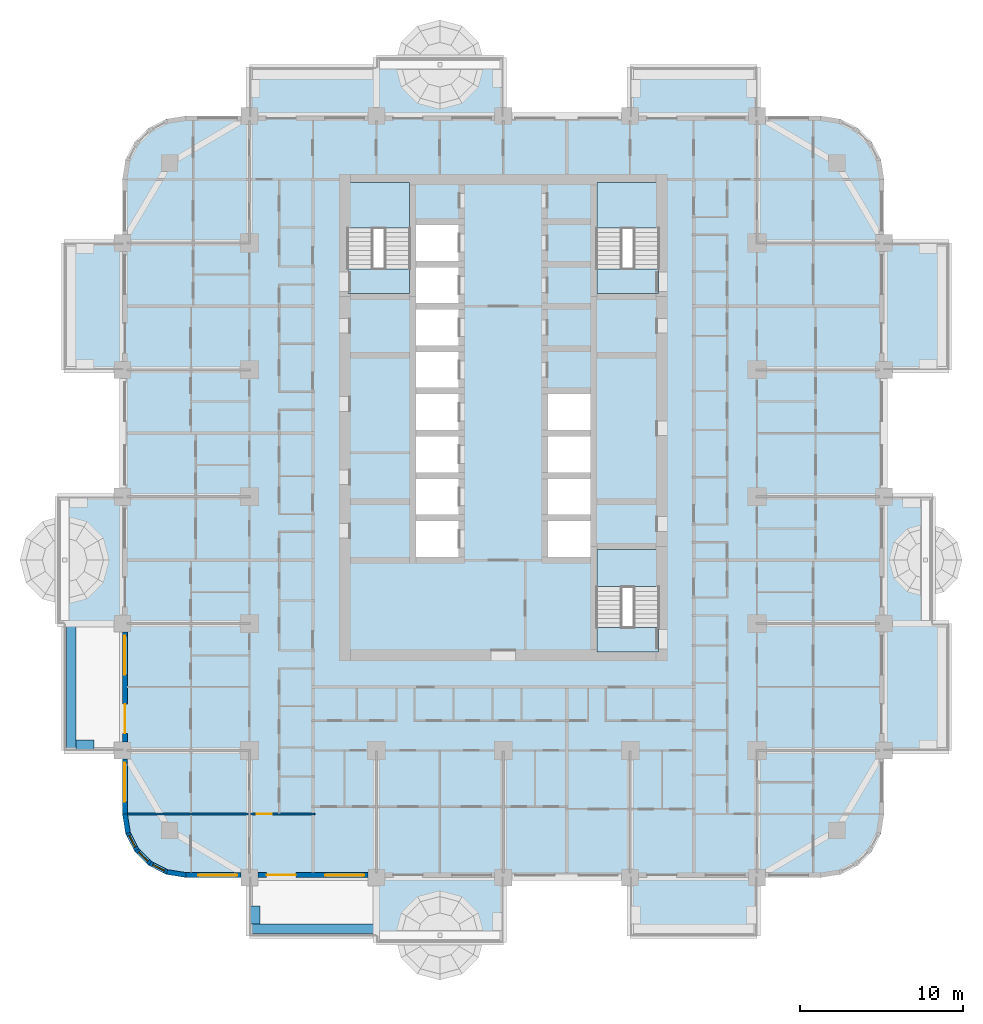
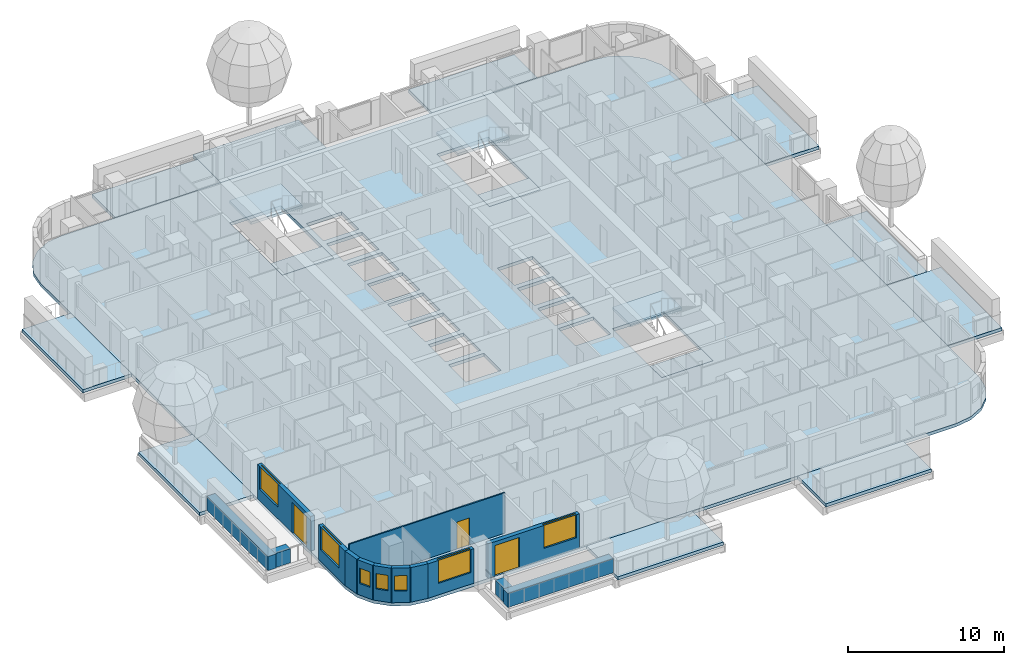
# One storey, part 2 of 18: 17 slabs, 14 walls, 7 windows, 3 doors, 10 openings, 3 elements without a shape of their own.
"""IFC4 building model written with IfcOpenShell, lengths in metres."""

from ifc_helpers import new_model, si_unit, direction, frame, frame_2d, origin, place, context, subcontext, project, spatial, polyline, rectangle, outline, extrude, material, layer, layer_set, type_object, element, fill, aggregate, save


model = new_model("IFC4")

# Units and contexts
model_context = context("Model", 3, precision=1e-05, world=origin(), true_north=direction((0.0, 1.0)))
body_context = subcontext(model_context, "Body", "Model", "MODEL_VIEW")
ifc_project = project(units=[si_unit("LENGTHUNIT", "METRE"), si_unit("AREAUNIT", "SQUARE_METRE"), si_unit("VOLUMEUNIT", "CUBIC_METRE"), si_unit("PLANEANGLEUNIT", "RADIAN"), si_unit("MASSUNIT", "GRAM", prefix="KILO")], contexts=[model_context])

# Site, building, storey
site_placement = place(None, origin())
site = spatial("IfcSite", under=ifc_project, at=site_placement, CompositionType="ELEMENT")
building_placement = place(site_placement, origin())
building = spatial("IfcBuilding", under=site, at=building_placement, Name="Ludao Terraces", CompositionType="ELEMENT")
storey_placement = place(building_placement, frame((0.0, 0.0, 26.300048828125)))
storey = spatial("IfcBuildingStorey", under=building, at=storey_placement, Name="L06", CompositionType="ELEMENT", Elevation=26.300048828125)

# Slabs
ifc_material_1 = material(Name="Concrete C40", Category="concrete")
ifc_layer_1 = layer(ifc_material_1, 0.25)
ifc_layer_set_1 = layer_set([ifc_layer_1], Name="Balcony slab 250 C40")
slab_type_1 = type_object("IfcSlabType", Name="Balcony slab 250 C40", PredefinedType="USERDEFINED", material=ifc_layer_set_1)
slab_1_placement = place(storey_placement, frame((0.0, 0.0, -0.25)))
element("IfcSlab", 1, at=slab_1_placement, inside=storey, type_object=slab_type_1, Name="Balcony L06 S2", ObjectType="BALCONY", PredefinedType="USERDEFINED", context=body_context, shape_type="SweptSolid", body=[
    extrude(outline(polyline([(77.199951171875, 37.60009765625), (85.0, 37.60009765625), (85.0, 41.60009765625), (77.199951171875, 41.60009765625), (77.199951171875, 37.60009765625)])), origin(), (0.0, 0.0, 1.0), 0.25),
])
slab_2_placement = place(storey_placement, frame((0.0, 0.0, -0.25)))
element("IfcSlab", 2, at=slab_2_placement, inside=storey, type_object=slab_type_1, Name="Balcony L06 S4", ObjectType="BALCONY", PredefinedType="USERDEFINED", context=body_context, shape_type="SweptSolid", body=[
    extrude(outline(polyline([(92.800048828125, 38.0), (100.60009765625, 38.0), (100.60009765625, 41.60009765625), (92.800048828125, 41.60009765625), (92.800048828125, 38.0)])), origin(), (0.0, 0.0, 1.0), 0.25),
])
slab_3_placement = place(storey_placement, frame((0.0, 0.0, -0.25)))
element("IfcSlab", 3, at=slab_3_placement, inside=storey, type_object=slab_type_1, Name="Balcony L06 E1", ObjectType="BALCONY", PredefinedType="USERDEFINED", context=body_context, shape_type="SweptSolid", body=[
    extrude(outline(polyline([(108.39990234375, 49.39990234375), (112.39990234375, 49.39990234375), (112.39990234375, 57.199951171875), (108.39990234375, 57.199951171875), (108.39990234375, 49.39990234375)])), origin(), (0.0, 0.0, 1.0), 0.25),
])
slab_4_placement = place(storey_placement, frame((0.0, 0.0, -0.25)))
element("IfcSlab", 4, at=slab_4_placement, inside=storey, type_object=slab_type_1, Name="Balcony L06 E2", ObjectType="BALCONY", PredefinedType="USERDEFINED", context=body_context, shape_type="SweptSolid", body=[
    extrude(outline(polyline([(108.39990234375, 57.199951171875), (111.39990234375, 57.199951171875), (111.39990234375, 65.0), (108.39990234375, 65.0), (108.39990234375, 57.199951171875)])), origin(), (0.0, 0.0, 1.0), 0.25),
])
slab_5_placement = place(storey_placement, frame((0.0, 0.0, -0.25)))
element("IfcSlab", 5, at=slab_5_placement, inside=storey, type_object=slab_type_1, Name="Balcony L06 E4", ObjectType="BALCONY", PredefinedType="USERDEFINED", context=body_context, shape_type="SweptSolid", body=[
    extrude(outline(polyline([(108.39990234375, 72.800048828125), (112.39990234375, 72.800048828125), (112.39990234375, 80.60009765625), (108.39990234375, 80.60009765625), (108.39990234375, 72.800048828125)])), origin(), (0.0, 0.0, 1.0), 0.25),
])
slab_6_placement = place(storey_placement, frame((0.0, 0.0, -0.25)))
element("IfcSlab", 6, at=slab_6_placement, inside=storey, type_object=slab_type_1, Name="Balcony L06 N1", ObjectType="BALCONY", PredefinedType="USERDEFINED", context=body_context, shape_type="SweptSolid", body=[
    extrude(outline(polyline([(69.39990234375, 88.39990234375), (77.199951171875, 88.39990234375), (77.199951171875, 91.39990234375), (69.39990234375, 91.39990234375), (69.39990234375, 88.39990234375)])), origin(), (0.0, 0.0, 1.0), 0.25),
])
slab_7_placement = place(storey_placement, frame((0.0, 0.0, -0.25)))
element("IfcSlab", 7, at=slab_7_placement, inside=storey, type_object=slab_type_1, Name="Balcony L06 N2", ObjectType="BALCONY", PredefinedType="USERDEFINED", context=body_context, shape_type="SweptSolid", body=[
    extrude(outline(polyline([(77.199951171875, 88.39990234375), (85.0, 88.39990234375), (85.0, 92.0), (77.199951171875, 92.0), (77.199951171875, 88.39990234375)])), origin(), (0.0, 0.0, 1.0), 0.25),
])
slab_8_placement = place(storey_placement, frame((0.0, 0.0, -0.25)))
element("IfcSlab", 8, at=slab_8_placement, inside=storey, type_object=slab_type_1, Name="Balcony L06 N4", ObjectType="BALCONY", PredefinedType="USERDEFINED", context=body_context, shape_type="SweptSolid", body=[
    extrude(outline(polyline([(92.800048828125, 88.39990234375), (100.60009765625, 88.39990234375), (100.60009765625, 91.39990234375), (92.800048828125, 91.39990234375), (92.800048828125, 88.39990234375)])), origin(), (0.0, 0.0, 1.0), 0.25),
])
slab_9_placement = place(storey_placement, frame((0.0, 0.0, -0.25)))
element("IfcSlab", 9, at=slab_9_placement, inside=storey, type_object=slab_type_1, Name="Balcony L06 W2", ObjectType="BALCONY", PredefinedType="USERDEFINED", context=body_context, shape_type="SweptSolid", body=[
    extrude(outline(polyline([(57.60009765625, 57.199951171875), (61.60009765625, 57.199951171875), (61.60009765625, 65.0), (57.60009765625, 65.0), (57.60009765625, 57.199951171875)])), origin(), (0.0, 0.0, 1.0), 0.25),
])
slab_10_placement = place(storey_placement, frame((0.0, 0.0, -0.25)))
element("IfcSlab", 10, at=slab_10_placement, inside=storey, type_object=slab_type_1, Name="Balcony L06 W4", ObjectType="BALCONY", PredefinedType="USERDEFINED", context=body_context, shape_type="SweptSolid", body=[
    extrude(outline(polyline([(58.0, 72.800048828125), (61.60009765625, 72.800048828125), (61.60009765625, 80.60009765625), (58.0, 80.60009765625), (58.0, 72.800048828125)])), origin(), (0.0, 0.0, 1.0), 0.25),
])
ifc_layer_2 = layer(ifc_material_1, 0.25)
ifc_layer_set_2 = layer_set([ifc_layer_2], Name="Floor slab 250 C40")
slab_type_2 = type_object("IfcSlabType", Name="Floor slab 250 C40", PredefinedType="FLOOR", material=ifc_layer_set_2)
slab_11_placement = place(storey_placement, frame((0.0, 0.0, -0.25)))
element("IfcSlab", 11, at=slab_11_placement, inside=storey, type_object=slab_type_2, Name="Slab L06", PredefinedType="FLOOR", context=body_context, shape_type="SweptSolid", body=[
    extrude(outline(polyline([(104.5, 41.60009765625), (105.705078125, 41.790771484375), (106.79248046875, 42.3447265625), (107.6552734375, 43.20751953125), (108.209228515625, 44.294921875), (108.39990234375, 45.5), (108.39990234375, 84.5), (108.209228515625, 85.705078125), (107.6552734375, 86.79248046875), (106.79248046875, 87.6552734375), (105.705078125, 88.209228515625), (104.5, 88.39990234375), (65.5, 88.39990234375), (64.294921875, 88.209228515625), (63.20751953125, 87.6552734375), (62.3447265625, 86.79248046875), (61.790771484375, 85.705078125), (61.60009765625, 84.5), (61.60009765625, 45.5), (61.790771484375, 44.294921875), (62.3447265625, 43.20751953125), (63.20751953125, 42.3447265625), (64.294921875, 41.790771484375), (65.5, 41.60009765625), (104.5, 41.60009765625)]), holes=[polyline([(79.64990234375, 61.300048828125), (82.25, 61.300048828125), (82.25, 63.5), (79.64990234375, 63.5), (79.64990234375, 61.300048828125)]), polyline([(79.64990234375, 63.89990234375), (82.25, 63.89990234375), (82.25, 66.10009765625), (79.64990234375, 66.10009765625), (79.64990234375, 63.89990234375)]), polyline([(79.64990234375, 66.5), (82.25, 66.5), (82.25, 68.699951171875), (79.64990234375, 68.699951171875), (79.64990234375, 66.5)]), polyline([(79.64990234375, 69.10009765625), (82.25, 69.10009765625), (82.25, 71.300048828125), (79.64990234375, 71.300048828125), (79.64990234375, 69.10009765625)]), polyline([(79.64990234375, 71.699951171875), (82.25, 71.699951171875), (82.25, 73.89990234375), (79.64990234375, 73.89990234375), (79.64990234375, 71.699951171875)]), polyline([(79.64990234375, 74.300048828125), (82.25, 74.300048828125), (82.25, 76.5), (79.64990234375, 76.5), (79.64990234375, 74.300048828125)]), polyline([(79.64990234375, 76.89990234375), (82.25, 76.89990234375), (82.25, 79.10009765625), (79.64990234375, 79.10009765625), (79.64990234375, 76.89990234375)]), polyline([(79.64990234375, 79.5), (82.25, 79.5), (82.25, 81.699951171875), (79.64990234375, 81.699951171875), (79.64990234375, 79.5)]), polyline([(87.75, 61.300048828125), (90.35009765625, 61.300048828125), (90.35009765625, 63.5), (87.75, 63.5), (87.75, 61.300048828125)]), polyline([(87.75, 63.89990234375), (90.35009765625, 63.89990234375), (90.35009765625, 66.10009765625), (87.75, 66.10009765625), (87.75, 63.89990234375)]), polyline([(87.75, 66.5), (90.35009765625, 66.5), (90.35009765625, 68.699951171875), (87.75, 68.699951171875), (87.75, 66.5)]), polyline([(87.75, 69.10009765625), (90.35009765625, 69.10009765625), (90.35009765625, 71.300048828125), (87.75, 71.300048828125), (87.75, 69.10009765625)]), polyline([(75.449951171875, 77.5), (79.25, 77.5), (79.25, 84.239990234375), (75.449951171875, 84.239990234375), (75.449951171875, 77.5)]), polyline([(90.75, 77.5), (94.550048828125, 77.5), (94.550048828125, 84.239990234375), (90.75, 84.239990234375), (90.75, 77.5)]), polyline([(90.75, 55.449951171875), (94.550048828125, 55.449951171875), (94.550048828125, 61.75), (90.75, 61.75), (90.75, 55.449951171875)])]), origin(), (0.0, 0.0, 1.0), 0.25),
])

# Stair, slabs
stair_type = type_object("IfcStairType", Name="INT Stair", PredefinedType="HALF_TURN_STAIR", material=ifc_material_1)
stair_1_placement = place(storey_placement, origin())
stair_1 = element("IfcStair", 12, at=stair_1_placement, inside=storey, type_object=stair_type, Name="EXIT STAIR 1", PredefinedType="HALF_TURN_STAIR")
ifc_layer_3 = layer(ifc_material_1, 0.199951171875)
ifc_layer_set_3 = layer_set([ifc_layer_3], Name="INT Stair landing 200")
slab_type_3 = type_object("IfcSlabType", Name="INT Stair landing 200", PredefinedType="LANDING", material=ifc_layer_set_3)
slab_12_placement = place(storey_placement, frame((0.0, 0.0, 1.5)))
slab_12 = element("IfcSlab", 13, at=slab_12_placement, type_object=slab_type_3, Name="ST1 landing 1", PredefinedType="LANDING", context=body_context, shape_type="SweptSolid", body=[
    extrude(outline(polyline([(75.449951171875, 81.52001953125), (79.25, 81.52001953125), (79.25, 84.300048828125), (75.449951171875, 84.300048828125), (75.449951171875, 81.52001953125)])), origin(), (0.0, 0.0, 1.0), 0.199951171875),
])
slab_13_placement = place(storey_placement, frame((0.0, 0.0, -0.199951171875)))
slab_13 = element("IfcSlab", 14, at=slab_13_placement, type_object=slab_type_3, Name="ST1 landing 2", PredefinedType="LANDING", context=body_context, shape_type="SweptSolid", body=[
    extrude(outline(polyline([(75.449951171875, 77.5), (79.25, 77.5), (79.25, 79.0), (75.449951171875, 79.0), (75.449951171875, 77.5)])), origin(), (0.0, 0.0, 1.0), 0.199951171875),
])
aggregate(stair_1, [slab_12, slab_13])

stair_2_placement = place(storey_placement, origin())
stair_2 = element("IfcStair", 15, at=stair_2_placement, inside=storey, type_object=stair_type, Name="EXIT STAIR 2", PredefinedType="HALF_TURN_STAIR")
slab_14_placement = place(storey_placement, frame((0.0, 0.0, 1.5)))
slab_14 = element("IfcSlab", 16, at=slab_14_placement, type_object=slab_type_3, Name="ST2 landing 1", PredefinedType="LANDING", context=body_context, shape_type="SweptSolid", body=[
    extrude(outline(polyline([(90.75, 81.52001953125), (94.550048828125, 81.52001953125), (94.550048828125, 84.300048828125), (90.75, 84.300048828125), (90.75, 81.52001953125)])), origin(), (0.0, 0.0, 1.0), 0.199951171875),
])
slab_15_placement = place(storey_placement, frame((0.0, 0.0, -0.199951171875)))
slab_15 = element("IfcSlab", 17, at=slab_15_placement, type_object=slab_type_3, Name="ST2 landing 2", PredefinedType="LANDING", context=body_context, shape_type="SweptSolid", body=[
    extrude(outline(polyline([(90.75, 77.5), (94.550048828125, 77.5), (94.550048828125, 79.0), (90.75, 79.0), (90.75, 77.5)])), origin(), (0.0, 0.0, 1.0), 0.199951171875),
])
aggregate(stair_2, [slab_14, slab_15])

stair_3_placement = place(storey_placement, origin())
stair_3 = element("IfcStair", 18, at=stair_3_placement, inside=storey, type_object=stair_type, Name="EXIT STAIR 3", PredefinedType="HALF_TURN_STAIR")
slab_16_placement = place(storey_placement, frame((0.0, 0.0, 1.5)))
slab_16 = element("IfcSlab", 19, at=slab_16_placement, type_object=slab_type_3, Name="ST3 landing 1", PredefinedType="LANDING", context=body_context, shape_type="SweptSolid", body=[
    extrude(outline(polyline([(90.75, 59.469970703125), (94.550048828125, 59.469970703125), (94.550048828125, 61.75), (90.75, 61.75), (90.75, 59.469970703125)])), origin(), (0.0, 0.0, 1.0), 0.199951171875),
])
slab_17_placement = place(storey_placement, frame((0.0, 0.0, -0.199951171875)))
slab_17 = element("IfcSlab", 20, at=slab_17_placement, type_object=slab_type_3, Name="ST3 landing 2", PredefinedType="LANDING", context=body_context, shape_type="SweptSolid", body=[
    extrude(outline(polyline([(90.75, 55.449951171875), (94.550048828125, 55.449951171875), (94.550048828125, 56.949951171875), (90.75, 56.949951171875), (90.75, 55.449951171875)])), origin(), (0.0, 0.0, 1.0), 0.199951171875),
])
aggregate(stair_3, [slab_16, slab_17])

# Walls
ifc_layer_4 = layer(ifc_material_1, 0.60009765625)
ifc_layer_set_4 = layer_set([ifc_layer_4], Name="ENV Planter trough 600")
wall_type_1 = type_object("IfcWallType", Name="ENV Planter trough 600", PredefinedType="USERDEFINED", material=ifc_layer_set_4)
wall_1_placement = place(storey_placement, frame((69.39990234375, 38.449951171875, 0.0), z_axis=(0.0, 0.0, 1.0), x_axis=(1.0, 0.0, 0.0)))
element("IfcWall", 21, at=wall_1_placement, inside=storey, type_object=wall_type_1, Name="PL-L06-S1", ObjectType="PLANTER", PredefinedType="USERDEFINED", context=body_context, shape_type="SweptSolid", body=[
    extrude(rectangle(XDim=7.800048828125, YDim=0.60009765625, at=frame_2d((3.89990234375, 0.0))), origin(), (0.0, 0.0, 1.0), 1.099853515625),
])
wall_2_placement = place(storey_placement, frame((69.75, 38.75, 0.0), z_axis=(0.0, 0.0, 1.0), x_axis=(0.0, 1.0, 0.0)))
element("IfcWall", 22, at=wall_2_placement, inside=storey, type_object=wall_type_1, Name="PL-L06-S1-SA", ObjectType="PLANTER", PredefinedType="USERDEFINED", context=body_context, shape_type="SweptSolid", body=[
    extrude(rectangle(XDim=1.10009765625, YDim=0.60009765625, at=frame_2d((0.550048828125, 0.0))), origin(), (0.0, 0.0, 1.0), 1.099853515625),
])
wall_3_placement = place(storey_placement, frame((58.449951171875, 49.39990234375, 0.0), z_axis=(0.0, 0.0, 1.0), x_axis=(0.0, 1.0, 0.0)))
element("IfcWall", 23, at=wall_3_placement, inside=storey, type_object=wall_type_1, Name="PL-L06-W1", ObjectType="PLANTER", PredefinedType="USERDEFINED", context=body_context, shape_type="SweptSolid", body=[
    extrude(rectangle(XDim=7.800048828125, YDim=0.60009765625, at=frame_2d((3.89990234375, 0.0))), origin(), (0.0, 0.0, 1.0), 1.099853515625),
])
wall_4_placement = place(storey_placement, frame((58.75, 49.75, 0.0), z_axis=(0.0, 0.0, 1.0), x_axis=(1.0, 0.0, 0.0)))
element("IfcWall", 24, at=wall_4_placement, inside=storey, type_object=wall_type_1, Name="PL-L06-W1-SA", ObjectType="PLANTER", PredefinedType="USERDEFINED", context=body_context, shape_type="SweptSolid", body=[
    extrude(rectangle(XDim=1.10009765625, YDim=0.60009765625, at=frame_2d((0.550048828125, 0.0))), origin(), (0.0, 0.0, 1.0), 1.099853515625),
])

# Wall, opening, window
ifc_material_2 = material(Name="Granite cladding", Category="masonry")
ifc_layer_5 = layer(ifc_material_2, 0.0400390625, Category="stone")
ifc_material_3 = material(Name="Mineral wool")
ifc_layer_6 = layer(ifc_material_3, 0.06005859375)
ifc_layer_7 = layer(ifc_material_1, 0.199951171875, Category="concrete")
ifc_layer_set_5 = layer_set([ifc_layer_5, ifc_layer_6, ifc_layer_7], Name="ENV Stone-clad wall 300")
wall_type_2 = type_object("IfcWallType", Name="ENV Stone-clad wall 300", PredefinedType="SOLIDWALL", material=ifc_layer_set_5)
wall_5_placement = place(storey_placement, frame((65.5, 41.75, 0.0), z_axis=(0.0, 0.0, 1.0), x_axis=(1.0, 0.0, 0.0)))
wall_5 = element("IfcWall", 25, at=wall_5_placement, inside=storey, type_object=wall_type_2, Name="EW-L06-S1", PredefinedType="SOLIDWALL", context=body_context, shape_type="SweptSolid", body=[
    extrude(rectangle(XDim=3.375, YDim=0.300048828125, at=frame_2d((1.6875, 0.0))), origin(), (0.0, 0.0, 1.0), 2.699951171875),
])
opening_1_placement = place(wall_5_placement, frame((0.75, 0.0, 0.89990234375)))
opening_1 = element("IfcOpeningElement", 26, at=opening_1_placement, cuts=wall_5, Name="Opening W1", PredefinedType="OPENING", context=body_context, shape_type="SweptSolid", body=[
    extrude(rectangle(XDim=2.39990234375, YDim=1.800048828125, at=frame_2d((1.199951171875, 0.89990234375))), frame((0.0, 0.16015625, 0.0), z_axis=(0.0, -1.0, 0.0), x_axis=(1.0, 0.0, 0.0)), (0.0, 0.0, 1.0), 0.320068359375),
])
ifc_material_4 = material(Name="Clear glass in aluminium frame", Category="aluminium")
ifc_layer_8 = layer(ifc_material_4, 0.06005859375)
ifc_layer_set_6 = layer_set([ifc_layer_8], Name="ENV Window W1 2400x1800")
window_type_1 = type_object("IfcWindowType", Name="ENV Window W1 2400x1800", PartitioningType="DOUBLE_PANEL_VERTICAL", PredefinedType="WINDOW", material=ifc_layer_set_6)
window_1_placement = place(opening_1_placement, origin())
window_1 = element("IfcWindow", 27, at=window_1_placement, inside=storey, type_object=window_type_1, Name="W-L06-S1-1", OverallHeight=1.800048828125, OverallWidth=2.39990234375, PartitioningType="DOUBLE_PANEL_VERTICAL", PredefinedType="WINDOW", context=body_context, shape_type="SweptSolid", body=[
    extrude(rectangle(XDim=2.39990234375, YDim=1.800048828125, at=frame_2d((1.199951171875, 0.89990234375))), frame((0.0, 0.030029296875, 0.0), z_axis=(0.0, -1.0, 0.0), x_axis=(1.0, 0.0, 0.0)), (0.0, 0.0, 1.0), 0.06005859375),
])
fill(opening_1, window_1)

# Wall, openings, door, window
wall_6_placement = place(storey_placement, frame((69.925048828125, 41.75, 0.0), z_axis=(0.0, 0.0, 1.0), x_axis=(1.0, 0.0, 0.0)))
wall_6 = element("IfcWall", 28, at=wall_6_placement, inside=storey, type_object=wall_type_2, Name="EW-L06-S2", PredefinedType="SOLIDWALL", context=body_context, shape_type="SweptSolid", body=[
    extrude(rectangle(XDim=6.75, YDim=0.300048828125, at=frame_2d((3.375, 0.0))), origin(), (0.0, 0.0, 1.0), 2.699951171875),
])
opening_2_placement = place(wall_6_placement, frame((0.52490234375, 0.0, 0.0)))
opening_2 = element("IfcOpeningElement", 29, at=opening_2_placement, cuts=wall_6, Name="Opening BD", PredefinedType="OPENING", context=body_context, shape_type="SweptSolid", body=[
    extrude(rectangle(XDim=1.800048828125, YDim=2.39990234375, at=frame_2d((0.89990234375, 1.199951171875))), frame((0.0, 0.16015625, 0.0), z_axis=(0.0, -1.0, 0.0), x_axis=(1.0, 0.0, 0.0)), (0.0, 0.0, 1.0), 0.320068359375),
])
opening_3_placement = place(wall_6_placement, frame((4.125, 0.0, 0.89990234375)))
opening_3 = element("IfcOpeningElement", 30, at=opening_3_placement, cuts=wall_6, Name="Opening W1", PredefinedType="OPENING", context=body_context, shape_type="SweptSolid", body=[
    extrude(rectangle(XDim=2.39990234375, YDim=1.800048828125, at=frame_2d((1.199951171875, 0.89990234375))), frame((0.0, 0.16015625, 0.0), z_axis=(0.0, -1.0, 0.0), x_axis=(1.0, 0.0, 0.0)), (0.0, 0.0, 1.0), 0.320068359375),
])
ifc_material_5 = material(Name="Aluminium glazed door", Category="aluminium")
ifc_layer_9 = layer(ifc_material_5, 0.06005859375)
ifc_layer_set_7 = layer_set([ifc_layer_9], Name="ENV Balcony door BD 1800x2400")
door_type_1 = type_object("IfcDoorType", Name="ENV Balcony door BD 1800x2400", OperationType="DOUBLE_DOOR_SINGLE_SWING", PredefinedType="DOOR", material=ifc_layer_set_7)
door_1_placement = place(opening_2_placement, origin())
door_1 = element("IfcDoor", 31, at=door_1_placement, inside=storey, type_object=door_type_1, Name="BD-L06-S2-1", OperationType="DOUBLE_DOOR_SINGLE_SWING", OverallHeight=2.39990234375, OverallWidth=1.800048828125, PredefinedType="DOOR", context=body_context, shape_type="SweptSolid", body=[
    extrude(rectangle(XDim=1.800048828125, YDim=2.39990234375, at=frame_2d((0.89990234375, 1.199951171875))), frame((0.0, 0.02490234375, 0.0), z_axis=(0.0, -1.0, 0.0), x_axis=(1.0, 0.0, 0.0)), (0.0, 0.0, 1.0), 0.050048828125),
])
fill(opening_2, door_1)
window_2_placement = place(opening_3_placement, origin())
window_2 = element("IfcWindow", 32, at=window_2_placement, inside=storey, type_object=window_type_1, Name="W-L06-S2-2", OverallHeight=1.800048828125, OverallWidth=2.39990234375, PartitioningType="DOUBLE_PANEL_VERTICAL", PredefinedType="WINDOW", context=body_context, shape_type="SweptSolid", body=[
    extrude(rectangle(XDim=2.39990234375, YDim=1.800048828125, at=frame_2d((1.199951171875, 0.89990234375))), frame((0.0, 0.030029296875, 0.0), z_axis=(0.0, -1.0, 0.0), x_axis=(1.0, 0.0, 0.0)), (0.0, 0.0, 1.0), 0.06005859375),
])
fill(opening_3, window_2)

# Wall, opening, window
wall_7_placement = place(storey_placement, frame((61.75, 45.5, 0.0), z_axis=(0.0, 0.0, 1.0), x_axis=(0.0, 1.0, 0.0)))
wall_7 = element("IfcWall", 33, at=wall_7_placement, inside=storey, type_object=wall_type_2, Name="EW-L06-W1", PredefinedType="SOLIDWALL", context=body_context, shape_type="SweptSolid", body=[
    extrude(rectangle(XDim=3.375, YDim=0.300048828125, at=frame_2d((1.6875, 0.0))), origin(), (0.0, 0.0, 1.0), 2.699951171875),
])
opening_4_placement = place(wall_7_placement, frame((0.75, 0.0, 0.89990234375)))
opening_4 = element("IfcOpeningElement", 34, at=opening_4_placement, cuts=wall_7, Name="Opening W1", PredefinedType="OPENING", context=body_context, shape_type="SweptSolid", body=[
    extrude(rectangle(XDim=2.39990234375, YDim=1.800048828125, at=frame_2d((1.199951171875, 0.89990234375))), frame((0.0, 0.16015625, 0.0), z_axis=(0.0, -1.0, 0.0), x_axis=(1.0, 0.0, 0.0)), (0.0, 0.0, 1.0), 0.320068359375),
])
window_3_placement = place(opening_4_placement, origin())
window_3 = element("IfcWindow", 35, at=window_3_placement, inside=storey, type_object=window_type_1, Name="W-L06-W1-1", OverallHeight=1.800048828125, OverallWidth=2.39990234375, PartitioningType="DOUBLE_PANEL_VERTICAL", PredefinedType="WINDOW", context=body_context, shape_type="SweptSolid", body=[
    extrude(rectangle(XDim=2.39990234375, YDim=1.800048828125, at=frame_2d((1.199951171875, 0.89990234375))), frame((0.0, 0.030029296875, 0.0), z_axis=(0.0, -1.0, 0.0), x_axis=(1.0, 0.0, 0.0)), (0.0, 0.0, 1.0), 0.06005859375),
])
fill(opening_4, window_3)

# Wall, openings, door, window
wall_8_placement = place(storey_placement, frame((61.75, 49.925048828125, 0.0), z_axis=(0.0, 0.0, 1.0), x_axis=(0.0, 1.0, 0.0)))
wall_8 = element("IfcWall", 36, at=wall_8_placement, inside=storey, type_object=wall_type_2, Name="EW-L06-W2", PredefinedType="SOLIDWALL", context=body_context, shape_type="SweptSolid", body=[
    extrude(rectangle(XDim=6.75, YDim=0.300048828125, at=frame_2d((3.375, 0.0))), origin(), (0.0, 0.0, 1.0), 2.699951171875),
])
opening_5_placement = place(wall_8_placement, frame((0.52490234375, 0.0, 0.0)))
opening_5 = element("IfcOpeningElement", 37, at=opening_5_placement, cuts=wall_8, Name="Opening BD", PredefinedType="OPENING", context=body_context, shape_type="SweptSolid", body=[
    extrude(rectangle(XDim=1.800048828125, YDim=2.39990234375, at=frame_2d((0.89990234375, 1.199951171875))), frame((0.0, 0.16015625, 0.0), z_axis=(0.0, -1.0, 0.0), x_axis=(1.0, 0.0, 0.0)), (0.0, 0.0, 1.0), 0.320068359375),
])
opening_6_placement = place(wall_8_placement, frame((4.125, 0.0, 0.89990234375)))
opening_6 = element("IfcOpeningElement", 38, at=opening_6_placement, cuts=wall_8, Name="Opening W1", PredefinedType="OPENING", context=body_context, shape_type="SweptSolid", body=[
    extrude(rectangle(XDim=2.39990234375, YDim=1.800048828125, at=frame_2d((1.199951171875, 0.89990234375))), frame((0.0, 0.16015625, 0.0), z_axis=(0.0, -1.0, 0.0), x_axis=(1.0, 0.0, 0.0)), (0.0, 0.0, 1.0), 0.320068359375),
])
door_2_placement = place(opening_5_placement, origin())
door_2 = element("IfcDoor", 39, at=door_2_placement, inside=storey, type_object=door_type_1, Name="BD-L06-W2-1", OperationType="DOUBLE_DOOR_SINGLE_SWING", OverallHeight=2.39990234375, OverallWidth=1.800048828125, PredefinedType="DOOR", context=body_context, shape_type="SweptSolid", body=[
    extrude(rectangle(XDim=1.800048828125, YDim=2.39990234375, at=frame_2d((0.89990234375, 1.199951171875))), frame((0.0, 0.02490234375, 0.0), z_axis=(0.0, -1.0, 0.0), x_axis=(1.0, 0.0, 0.0)), (0.0, 0.0, 1.0), 0.050048828125),
])
fill(opening_5, door_2)
window_4_placement = place(opening_6_placement, origin())
window_4 = element("IfcWindow", 40, at=window_4_placement, inside=storey, type_object=window_type_1, Name="W-L06-W2-2", OverallHeight=1.800048828125, OverallWidth=2.39990234375, PartitioningType="DOUBLE_PANEL_VERTICAL", PredefinedType="WINDOW", context=body_context, shape_type="SweptSolid", body=[
    extrude(rectangle(XDim=2.39990234375, YDim=1.800048828125, at=frame_2d((1.199951171875, 0.89990234375))), frame((0.0, 0.030029296875, 0.0), z_axis=(0.0, -1.0, 0.0), x_axis=(1.0, 0.0, 0.0)), (0.0, 0.0, 1.0), 0.06005859375),
])
fill(opening_6, window_4)

# Wall
wall_9_placement = place(storey_placement, frame((61.75, 45.5, 0.0), z_axis=(0.0, 0.0, 1.0), x_axis=(0.156496880861, -0.987678452879, 0.0)))
element("IfcWall", 41, at=wall_9_placement, inside=storey, type_object=wall_type_2, Name="EW-L06-SW1", PredefinedType="SOLIDWALL", context=body_context, shape_type="SweptSolid", body=[
    extrude(rectangle(XDim=1.173095703125, YDim=0.300048828125, at=frame_2d((0.58642578125, 0.0))), origin(), (0.0, 0.0, 1.0), 2.699951171875),
])

# Wall, opening, window
wall_10_placement = place(storey_placement, frame((61.93359375, 44.34130859375, 0.0), z_axis=(0.0, 0.0, 1.0), x_axis=(0.454025524128, -0.890988677504, 0.0)))
wall_10 = element("IfcWall", 42, at=wall_10_placement, inside=storey, type_object=wall_type_2, Name="EW-L06-SW2", PredefinedType="SOLIDWALL", context=body_context, shape_type="SweptSolid", body=[
    extrude(rectangle(XDim=1.17333984375, YDim=0.300048828125, at=frame_2d((0.586669921875, 0.0))), origin(), (0.0, 0.0, 1.0), 2.699951171875),
])
opening_7_placement = place(wall_10_placement, frame((0.1865234375, 0.0, 0.89990234375)))
opening_7 = element("IfcOpeningElement", 43, at=opening_7_placement, cuts=wall_10, Name="Opening W3", PredefinedType="OPENING", context=body_context, shape_type="SweptSolid", body=[
    extrude(rectangle(XDim=0.800048828125, YDim=1.199951171875, at=frame_2d((0.39990234375, 0.60009765625))), frame((0.0, 0.16015625, 0.0), z_axis=(0.0, -1.0, 0.0), x_axis=(1.0, 0.0, 0.0)), (0.0, 0.0, 1.0), 0.320068359375),
])
ifc_layer_10 = layer(ifc_material_4, 0.06005859375)
ifc_layer_set_8 = layer_set([ifc_layer_10], Name="ENV Window W3 800x1200")
window_type_2 = type_object("IfcWindowType", Name="ENV Window W3 800x1200", PartitioningType="SINGLE_PANEL", PredefinedType="WINDOW", material=ifc_layer_set_8)
window_5_placement = place(opening_7_placement, origin())
window_5 = element("IfcWindow", 44, at=window_5_placement, inside=storey, type_object=window_type_2, Name="W-L06-SW2", OverallHeight=1.199951171875, OverallWidth=0.800048828125, PartitioningType="SINGLE_PANEL", PredefinedType="WINDOW", context=body_context, shape_type="SweptSolid", body=[
    extrude(rectangle(XDim=0.800048828125, YDim=1.199951171875, at=frame_2d((0.39990234375, 0.60009765625))), frame((0.0, 0.030029296875, 0.0), z_axis=(0.0, -1.0, 0.0), x_axis=(1.0, 0.0, 0.0)), (0.0, 0.0, 1.0), 0.06005859375),
])
fill(opening_7, window_5)

wall_11_placement = place(storey_placement, frame((62.46630859375, 43.2958984375, 0.0), z_axis=(0.0, 0.0, 1.0), x_axis=(0.707106781187, -0.707106781187, 0.0)))
wall_11 = element("IfcWall", 45, at=wall_11_placement, inside=storey, type_object=wall_type_2, Name="EW-L06-SW3", PredefinedType="SOLIDWALL", context=body_context, shape_type="SweptSolid", body=[
    extrude(rectangle(XDim=1.173095703125, YDim=0.300048828125, at=frame_2d((0.58642578125, 0.0))), origin(), (0.0, 0.0, 1.0), 2.699951171875),
])
opening_8_placement = place(wall_11_placement, frame((0.1865234375, 0.0, 0.89990234375)))
opening_8 = element("IfcOpeningElement", 46, at=opening_8_placement, cuts=wall_11, Name="Opening W3", PredefinedType="OPENING", context=body_context, shape_type="SweptSolid", body=[
    extrude(rectangle(XDim=0.800048828125, YDim=1.199951171875, at=frame_2d((0.39990234375, 0.60009765625))), frame((0.0, 0.16015625, 0.0), z_axis=(0.0, -1.0, 0.0), x_axis=(1.0, 0.0, 0.0)), (0.0, 0.0, 1.0), 0.320068359375),
])
window_6_placement = place(opening_8_placement, origin())
window_6 = element("IfcWindow", 47, at=window_6_placement, inside=storey, type_object=window_type_2, Name="W-L06-SW3", OverallHeight=1.199951171875, OverallWidth=0.800048828125, PartitioningType="SINGLE_PANEL", PredefinedType="WINDOW", context=body_context, shape_type="SweptSolid", body=[
    extrude(rectangle(XDim=0.800048828125, YDim=1.199951171875, at=frame_2d((0.39990234375, 0.60009765625))), frame((0.0, 0.030029296875, 0.0), z_axis=(0.0, -1.0, 0.0), x_axis=(1.0, 0.0, 0.0)), (0.0, 0.0, 1.0), 0.06005859375),
])
fill(opening_8, window_6)

wall_12_placement = place(storey_placement, frame((63.2958984375, 42.46630859375, 0.0), z_axis=(0.0, 0.0, 1.0), x_axis=(0.890988677504, -0.454025524128, 0.0)))
wall_12 = element("IfcWall", 48, at=wall_12_placement, inside=storey, type_object=wall_type_2, Name="EW-L06-SW4", PredefinedType="SOLIDWALL", context=body_context, shape_type="SweptSolid", body=[
    extrude(rectangle(XDim=1.17333984375, YDim=0.300048828125, at=frame_2d((0.586669921875, 0.0))), origin(), (0.0, 0.0, 1.0), 2.699951171875),
])
opening_9_placement = place(wall_12_placement, frame((0.1865234375, 0.0, 0.89990234375)))
opening_9 = element("IfcOpeningElement", 49, at=opening_9_placement, cuts=wall_12, Name="Opening W3", PredefinedType="OPENING", context=body_context, shape_type="SweptSolid", body=[
    extrude(rectangle(XDim=0.800048828125, YDim=1.199951171875, at=frame_2d((0.39990234375, 0.60009765625))), frame((0.0, 0.16015625, 0.0), z_axis=(0.0, -1.0, 0.0), x_axis=(1.0, 0.0, 0.0)), (0.0, 0.0, 1.0), 0.320068359375),
])
window_7_placement = place(opening_9_placement, origin())
window_7 = element("IfcWindow", 50, at=window_7_placement, inside=storey, type_object=window_type_2, Name="W-L06-SW4", OverallHeight=1.199951171875, OverallWidth=0.800048828125, PartitioningType="SINGLE_PANEL", PredefinedType="WINDOW", context=body_context, shape_type="SweptSolid", body=[
    extrude(rectangle(XDim=0.800048828125, YDim=1.199951171875, at=frame_2d((0.39990234375, 0.60009765625))), frame((0.0, 0.030029296875, 0.0), z_axis=(0.0, -1.0, 0.0), x_axis=(1.0, 0.0, 0.0)), (0.0, 0.0, 1.0), 0.06005859375),
])
fill(opening_9, window_7)

# Wall
wall_13_placement = place(storey_placement, frame((64.34130859375, 41.93359375, 0.0), z_axis=(0.0, 0.0, 1.0), x_axis=(0.987678452879, -0.156496880861, 0.0)))
element("IfcWall", 51, at=wall_13_placement, inside=storey, type_object=wall_type_2, Name="EW-L06-SW5", PredefinedType="SOLIDWALL", context=body_context, shape_type="SweptSolid", body=[
    extrude(rectangle(XDim=1.173095703125, YDim=0.300048828125, at=frame_2d((0.58642578125, 0.0))), origin(), (0.0, 0.0, 1.0), 2.699951171875),
])

# Wall, opening, door
ifc_material_6 = material(Name="Gypsum plasterboard", Category="gypsum")
ifc_layer_11 = layer(ifc_material_6, 0.012451171875, Category="gypsum")
ifc_layer_12 = layer(ifc_material_3, 0.06005859375, Name="insulation")
ifc_material_7 = material(Name="Steel Q235", Category="steel")
ifc_layer_13 = layer(ifc_material_7, 0.014892578125, Name="stud")
ifc_layer_14 = layer(ifc_material_6, 0.012451171875, Category="gypsum")
ifc_layer_set_9 = layer_set([ifc_layer_11, ifc_layer_12, ifc_layer_13, ifc_layer_14], Name="INT Partition 100")
wall_type_3 = type_object("IfcWallType", Name="INT Partition 100", PredefinedType="PARTITIONING", material=ifc_layer_set_9)
wall_14_placement = place(storey_placement, frame((61.900146484375, 45.5, 0.0), z_axis=(0.0, 0.0, 1.0), x_axis=(1.0, 0.0, 0.0)))
wall_14 = element("IfcWall", 52, at=wall_14_placement, inside=storey, type_object=wall_type_3, Name="PW-L06-PW000", PredefinedType="PARTITIONING", context=body_context, shape_type="SweptSolid", body=[
    extrude(rectangle(XDim=11.5, YDim=0.10009765625, at=frame_2d((5.75, 0.0))), origin(), (0.0, 0.0, 1.0), 3.14990234375),
])
opening_10_placement = place(wall_14_placement, frame((7.965087890625, 0.0, 0.0)))
opening_10 = element("IfcOpeningElement", 53, at=opening_10_placement, cuts=wall_14, Name="Opening R01-005", PredefinedType="OPENING", context=body_context, shape_type="SweptSolid", body=[
    extrude(rectangle(XDim=0.89990234375, YDim=2.10009765625, at=frame_2d((0.449951171875, 1.050048828125))), frame((0.0, 0.06005859375, 0.0), z_axis=(0.0, -1.0, 0.0), x_axis=(1.0, 0.0, 0.0)), (0.0, 0.0, 1.0), 0.1201171875),
])
ifc_material_8 = material(Name="Timber door leaf", Category="wood")
door_type_2 = type_object("IfcDoorType", Name="INT Room door 900", OperationType="SINGLE_SWING_LEFT", PredefinedType="DOOR", material=ifc_material_8)
door_3_placement = place(opening_10_placement, origin())
door_3 = element("IfcDoor", 54, at=door_3_placement, inside=storey, type_object=door_type_2, Name="DOOR 005", OperationType="SINGLE_SWING_RIGHT", OverallHeight=2.10009765625, OverallWidth=0.89990234375, PredefinedType="DOOR", context=body_context, shape_type="SweptSolid", body=[
    extrude(rectangle(XDim=0.89990234375, YDim=2.10009765625, at=frame_2d((0.449951171875, 1.050048828125))), frame((0.0, 0.02490234375, 0.0), z_axis=(0.0, -1.0, 0.0), x_axis=(1.0, 0.0, 0.0)), (0.0, 0.0, 1.0), 0.050048828125),
])
fill(opening_10, door_3)

save(model, "model.ifc")
